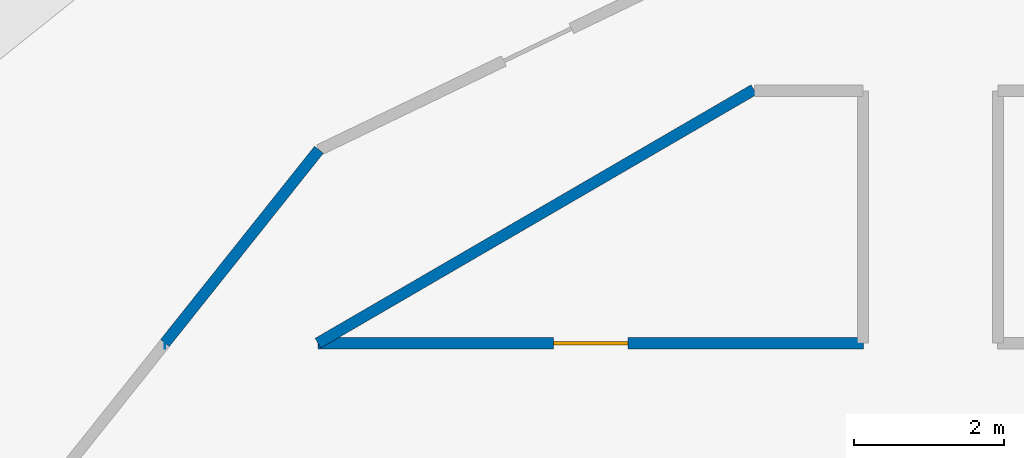
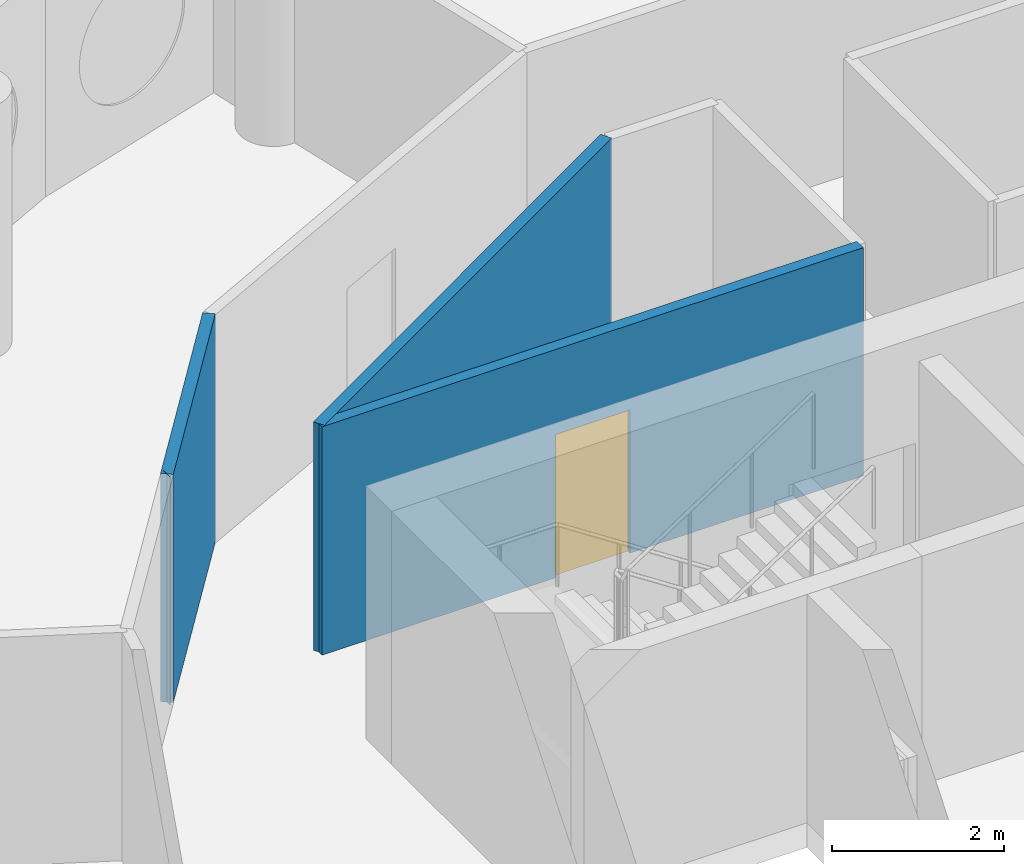
# One storey, part 6 of 12: 4 walls, 1 door, 1 opening.
"""IFC4 building model written with IfcOpenShell, lengths in metres."""

from ifc_helpers import new_model, si_unit, direction, frame, frame_2d, origin, place, context, subcontext, project, spatial, rectangle, extrude, material, layer, layer_set, type_object, element, fill, save


model = new_model("IFC4")

# Units and contexts
model_context = context("Model", 3, precision=1e-05, world=origin(), true_north=direction((0.0, 1.0)))
body_context = subcontext(model_context, "Body", "Model", "MODEL_VIEW")
ifc_project = project(units=[si_unit("LENGTHUNIT", "METRE"), si_unit("AREAUNIT", "SQUARE_METRE"), si_unit("VOLUMEUNIT", "CUBIC_METRE"), si_unit("PLANEANGLEUNIT", "RADIAN"), si_unit("MASSUNIT", "GRAM", prefix="KILO")], contexts=[model_context])

# Site, building, storey
site_placement = place(None, origin())
site = spatial("IfcSite", under=ifc_project, at=site_placement, CompositionType="ELEMENT")
building_placement = place(site_placement, origin())
building = spatial("IfcBuilding", under=site, at=building_placement, Name="Tracery Tower", CompositionType="ELEMENT")
storey_placement = place(building_placement, frame((0.0, 0.0, 323.39990234375)))
storey = spatial("IfcBuildingStorey", under=building, at=storey_placement, Name="L84", CompositionType="ELEMENT", Elevation=323.39990234375)

# Wall
ifc_material_1 = material(Name="Plasterboard on steel studs", Category="steel")
ifc_layer = layer(ifc_material_1, 0.14990234375)
ifc_layer_set = layer_set([ifc_layer], Name="Partition 150 corridor wall")
wall_type = type_object("IfcWallType", Name="Partition 150 corridor wall", PredefinedType="PARTITIONING", material=ifc_layer_set)
wall_1_placement = place(storey_placement, frame((-9.092041015625, 8.800048828125, 0.0), z_axis=(0.0, 0.0, 1.0), x_axis=(0.864470922103, 0.502682827277, 0.0)))
element("IfcWall", 1, at=wall_1_placement, inside=storey, type_object=wall_type, Name="Corridor wall RC10-001", PredefinedType="PARTITIONING", context=body_context, shape_type="SweptSolid", body=[
    extrude(rectangle(XDim=6.7353515625, YDim=0.14990234375, at=frame_2d((3.36767578125, 0.0))), origin(), (0.0, 0.0, 1.0), 3.25),
])

# Wall, opening, door
wall_2_placement = place(storey_placement, frame((-9.092041015625, 8.800048828125, 0.0), z_axis=(0.0, 0.0, 1.0), x_axis=(1.0, 0.0, 0.0)))
wall_2 = element("IfcWall", 2, at=wall_2_placement, inside=storey, type_object=wall_type, Name="Corridor wall RC10-002", PredefinedType="PARTITIONING", context=body_context, shape_type="SweptSolid", body=[
    extrude(rectangle(XDim=7.2861328125, YDim=0.14990234375, at=frame_2d((3.64306640625, 0.0))), origin(), (0.0, 0.0, 1.0), 3.25),
])
opening_placement = place(wall_2_placement, frame((3.14306640625, 0.0, 0.0)))
opening = element("IfcOpeningElement", 3, at=opening_placement, cuts=wall_2, Name="Opening RC10-01", PredefinedType="OPENING", context=body_context, shape_type="SweptSolid", body=[
    extrude(rectangle(XDim=1.0, YDim=2.0400390625, at=frame_2d((0.5, 1.02001953125))), frame((0.0, 0.074951171875, 0.0), z_axis=(0.0, -1.0, 0.0), x_axis=(1.0, 0.0, 0.0)), (0.0, 0.0, 1.0), 0.14990234375),
])
ifc_material_2 = material(Name="Timber door leaf", Category="wood")
door_type = type_object("IfcDoorType", Name="Door communal room 1000", OperationType="NOTDEFINED", PredefinedType="DOOR", material=ifc_material_2)
door_placement = place(opening_placement, origin())
door = element("IfcDoor", 4, at=door_placement, inside=storey, type_object=door_type, Name="Communal room door RC10-01", OperationType="SINGLE_SWING_LEFT", OverallHeight=2.0400390625, OverallWidth=1.0, PredefinedType="DOOR", context=body_context, shape_type="SweptSolid", body=[
    extrude(rectangle(XDim=1.0, YDim=2.0400390625, at=frame_2d((0.5, 1.02001953125))), frame((0.0, 0.02490234375, 0.0), z_axis=(0.0, -1.0, 0.0), x_axis=(1.0, 0.0, 0.0)), (0.0, 0.0, 1.0), 0.050048828125),
])
fill(opening, door)

# Walls
wall_3_placement = place(storey_placement, frame((-11.134033203125, 8.800048828125, 0.0), z_axis=(0.0, 0.0, 1.0), x_axis=(-1.0, 0.0, 0.0)))
element("IfcWall", 5, at=wall_3_placement, inside=storey, type_object=wall_type, Name="Corridor wall RC10-009", PredefinedType="PARTITIONING", context=body_context, shape_type="SweptSolid", body=[
    extrude(rectangle(XDim=0.0029296875, YDim=0.14990234375, at=frame_2d((0.00146484375, 0.0))), origin(), (0.0, 0.0, 1.0), 3.25),
])
wall_4_placement = place(storey_placement, frame((-11.135986328125, 8.802001953125, 0.0), z_axis=(0.0, 0.0, 1.0), x_axis=(0.623151397235, 0.782101231379, 0.0)))
element("IfcWall", 6, at=wall_4_placement, inside=storey, type_object=wall_type, Name="Corridor wall RC10-010", PredefinedType="PARTITIONING", context=body_context, shape_type="SweptSolid", body=[
    extrude(rectangle(XDim=3.30078125, YDim=0.14990234375, at=frame_2d((1.650390625, 0.0))), origin(), (0.0, 0.0, 1.0), 3.25),
])

save(model, "model.ifc")
